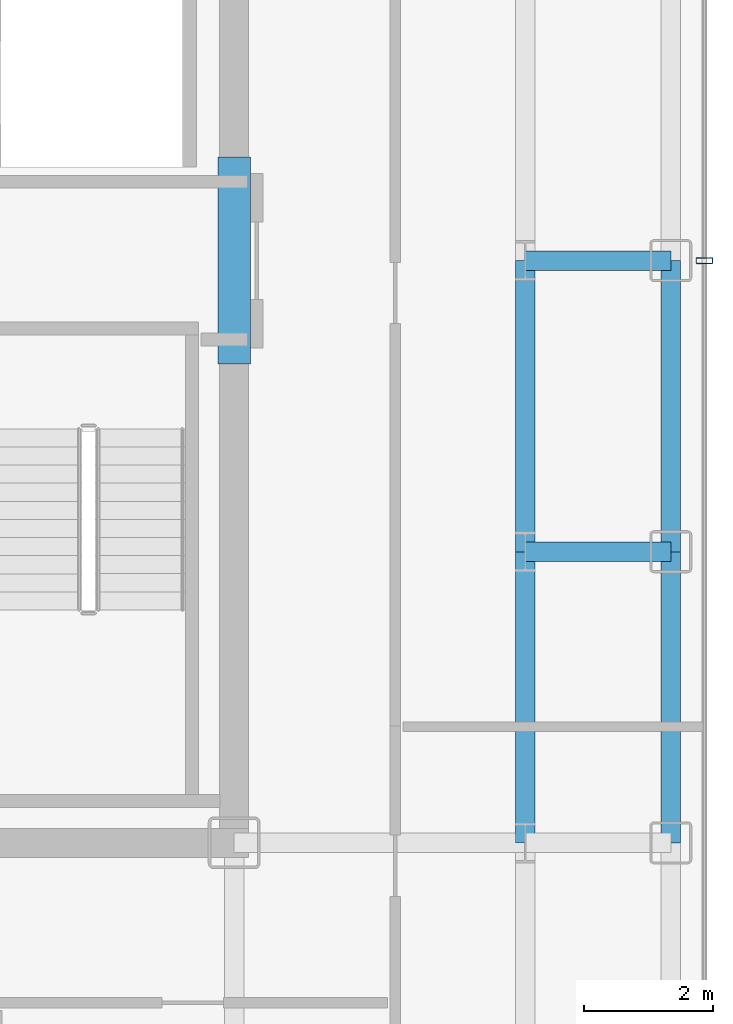
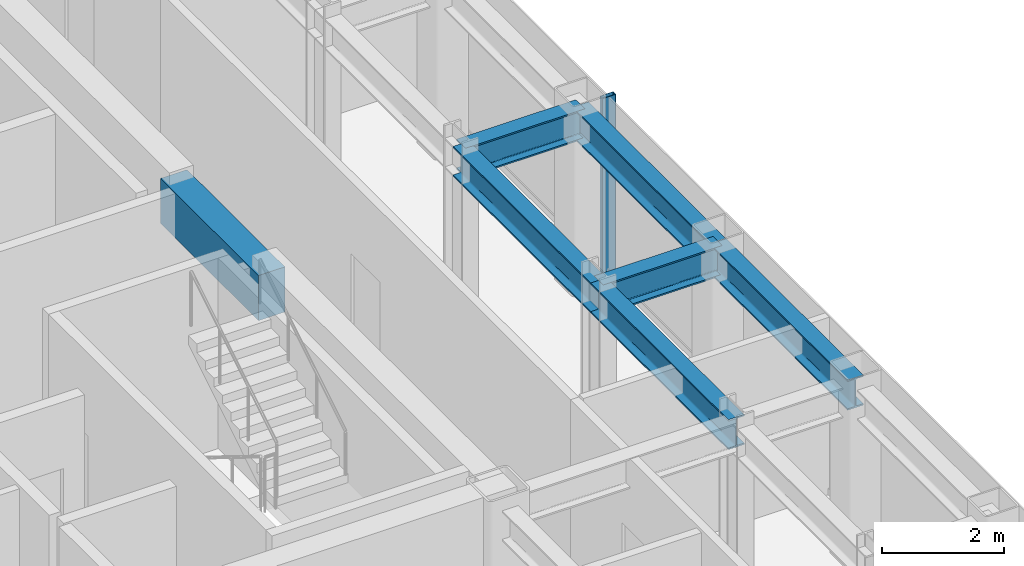
# One storey, part 7 of 18: 7 beams, 1 member, 1 element without a shape of its own.
"""IFC4 building model written with IfcOpenShell, lengths in metres."""

import ifcopenshell
import ifcopenshell.guid

model = None  # the IFC model being written
_history = None  # IfcOwnerHistory: only IFC2X3 demands one
_inside = {}  # id of a spatial element -> (the spatial element, [elements in it])
_under = {}  # id of a project, library or spatial element -> (it, [spatial elements below it])
_declared = {}  # id of a project -> (the project, [libraries it declares])
_typed = {}  # id of a type object -> (the type object, [elements of that type])
_made_of = {}  # id of a material, layer set ... -> (it, [elements and type objects made of it])


def new_model(schema):
    """Start an empty IFC model of exactly this schema.

    Asked for "IFC4X3", IfcOpenShell would pick the latest addendum, in which some entities
    have other attributes; the version numbers below select the first issue.
    IFC2X3 requires an IfcOwnerHistory on every rooted entity: one is made here for all.
    """
    global model, _history
    if schema == "IFC4X3":
        model = ifcopenshell.file(schema_version=(4, 3, 0, 0))
    else:
        model = ifcopenshell.file(schema=schema)
    _inside.clear()
    _under.clear()
    _declared.clear()
    _typed.clear()
    _made_of.clear()
    _history = None
    if model.schema == "IFC2X3":
        org = make("IfcOrganization", Name="unknown")
        user = make(
            "IfcPersonAndOrganization",
            ThePerson=make("IfcPerson", FamilyName="unknown"),
            TheOrganization=org,
        )
        app = make(
            "IfcApplication",
            ApplicationDeveloper=org,
            Version="unknown",
            ApplicationFullName="unknown",
            ApplicationIdentifier="unknown",
        )
        _history = make(
            "IfcOwnerHistory",
            OwningUser=user,
            OwningApplication=app,
            ChangeAction="ADDED",
            CreationDate=0,
        )
    return model


def make(cls, **values):
    """One entity of the class cls with the attributes given. An attribute that is None is left unset."""
    return model.create_entity(
        cls, **{name: value for name, value in values.items() if value is not None}
    )


def rooted(cls, **values):
    """An entity with a GlobalId (a new one), such as an element, a storey or a relation."""
    return make(cls, GlobalId=ifcopenshell.guid.new(), OwnerHistory=_history, **values)


def si_unit(unit_type, name, prefix=None):
    """IfcSIUnit, for example si_unit("LENGTHUNIT", "METRE", prefix="MILLI")."""
    return make("IfcSIUnit", UnitType=unit_type, Prefix=prefix, Name=name)


def assignment(units):
    """IfcUnitAssignment: the units of a project."""
    return None if units is None else make("IfcUnitAssignment", Units=units)


def point(xyz):
    """IfcCartesianPoint."""
    return None if xyz is None else make("IfcCartesianPoint", Coordinates=xyz)


def direction(xyz):
    """IfcDirection."""
    return None if xyz is None else make("IfcDirection", DirectionRatios=xyz)


def frame(location, z_axis=None, x_axis=None):
    """IfcAxis2Placement3D, a coordinate frame: its origin and axes. An axis left out is left unset."""
    return make(
        "IfcAxis2Placement3D",
        Location=point(location),
        Axis=direction(z_axis),
        RefDirection=direction(x_axis),
    )


def frame_2d(location, x_axis=None):
    """IfcAxis2Placement2D, a coordinate frame in the plane: its origin and x axis."""
    return make(
        "IfcAxis2Placement2D", Location=point(location), RefDirection=direction(x_axis)
    )


def origin():
    """The frame at (0, 0, 0) with its axes left unset."""
    return frame((0.0, 0.0, 0.0))


def origin_2d():
    """The frame at (0, 0) in the plane with its x axis left unset."""
    return frame_2d((0.0, 0.0))


def place(relative_to, where):
    """IfcLocalPlacement: puts the frame where relative to a parent placement (None: the world)."""
    return make(
        "IfcLocalPlacement", PlacementRelTo=relative_to, RelativePlacement=where
    )


def context(
    kind, dimensions, precision=None, world=None, true_north=None, identifier=None
):
    """IfcGeometricRepresentationContext, for example the 3D "Model" context."""
    return make(
        "IfcGeometricRepresentationContext",
        ContextIdentifier=identifier,
        ContextType=kind,
        CoordinateSpaceDimension=dimensions,
        Precision=precision,
        WorldCoordinateSystem=world,
        TrueNorth=true_north,
    )


def subcontext(parent, identifier, kind, view, scale=None):
    """IfcGeometricRepresentationSubContext, for example "Body" below "Model"."""
    return make(
        "IfcGeometricRepresentationSubContext",
        ContextIdentifier=identifier,
        ContextType=kind,
        ParentContext=parent,
        TargetScale=scale,
        TargetView=view,
    )


def project(units=None, contexts=None):
    """IfcProject with its units and contexts."""
    return rooted(
        "IfcProject",
        Name="project",
        RepresentationContexts=contexts,
        UnitsInContext=assignment(units),
    )


def spatial(cls, under=None, at=None, **own):
    """A site, building, storey or space (cls), placed at a placement, below another one or the project."""
    s = rooted(cls, ObjectPlacement=at, **own)
    if under is not None:
        _under.setdefault(under.id(), (under, []))[1].append(s)
    return s


def profile(cls, at=None, kind="AREA", **sizes):
    """A parametric profile (cls). Its sizes go by their IFC names, for example OverallWidth=200.0."""
    return make(cls, ProfileType=kind, Position=at, **sizes)


def rectangle(**sizes):
    """IfcRectangleProfileDef."""
    return profile("IfcRectangleProfileDef", **sizes)


def hollow_rectangle(**sizes):
    """IfcRectangleHollowProfileDef."""
    return profile("IfcRectangleHollowProfileDef", **sizes)


def i_section(**sizes):
    """IfcIShapeProfileDef."""
    return profile("IfcIShapeProfileDef", **sizes)


def extrude(swept, where, along, depth):
    """IfcExtrudedAreaSolid: the profile swept, set in the frame where, extruded along a direction by depth."""
    return make(
        "IfcExtrudedAreaSolid",
        SweptArea=swept,
        Position=where,
        ExtrudedDirection=direction(along),
        Depth=depth,
    )


def shape(context_of_items, identifier, shape_type, items):
    """IfcShapeRepresentation: the items that make up one representation, for example the "Body"."""
    return make(
        "IfcShapeRepresentation",
        ContextOfItems=context_of_items,
        RepresentationIdentifier=identifier,
        RepresentationType=shape_type,
        Items=items,
    )


def source(mapping_origin, context_of_items, identifier, shape_type, items):
    """IfcRepresentationMap: a shape defined once, which mapped items show again and again."""
    return make(
        "IfcRepresentationMap",
        MappingOrigin=mapping_origin,
        MappedRepresentation=shape(context_of_items, identifier, shape_type, items),
    )


def transform(
    local_origin,
    x_axis=None,
    y_axis=None,
    z_axis=None,
    scale=None,
    scale2=None,
    scale3=None,
    uniform=True,
):
    """IfcCartesianTransformationOperator3D, or its non-uniform kind. x_axis, y_axis, z_axis: its Axis1, 2, 3."""
    if uniform:
        return make(
            "IfcCartesianTransformationOperator3D",
            Axis1=direction(x_axis),
            Axis2=direction(y_axis),
            LocalOrigin=point(local_origin),
            Scale=scale,
            Axis3=direction(z_axis),
        )
    return make(
        "IfcCartesianTransformationOperator3DnonUniform",
        Axis1=direction(x_axis),
        Axis2=direction(y_axis),
        LocalOrigin=point(local_origin),
        Scale=scale,
        Axis3=direction(z_axis),
        Scale2=scale2,
        Scale3=scale3,
    )


def mapped(mapping_source, mapping_target):
    """IfcMappedItem: shows the shape of a source again, moved by a transform."""
    return make(
        "IfcMappedItem", MappingSource=mapping_source, MappingTarget=mapping_target
    )


def material(Name=None, Category=None):
    """IfcMaterial."""
    return make("IfcMaterial", Name=Name, Category=Category)


def layer(
    of_material, thickness, ventilated=None, Name=None, Category=None, Priority=None
):
    """IfcMaterialLayer: one layer of a wall or slab, of a material (None: an air gap)."""
    return make(
        "IfcMaterialLayer",
        Material=of_material,
        LayerThickness=thickness,
        IsVentilated=ventilated,
        Name=Name,
        Category=Category,
        Priority=Priority,
    )


def layer_set(layers, Name=None):
    """IfcMaterialLayerSet."""
    return make("IfcMaterialLayerSet", MaterialLayers=layers, LayerSetName=Name)


def material_profile(
    of_material, cross_section, Name=None, Category=None, Priority=None
):
    """IfcMaterialProfile: a cross section and its material."""
    return make(
        "IfcMaterialProfile",
        Name=Name,
        Material=of_material,
        Profile=cross_section,
        Priority=Priority,
        Category=Category,
    )


def profile_set(profiles, Name=None, composite=None):
    """IfcMaterialProfileSet."""
    return make(
        "IfcMaterialProfileSet",
        Name=Name,
        MaterialProfiles=profiles,
        CompositeProfile=composite,
    )


def made_of(thing, what):
    """Note that an element or type object is made of a material, layer set ...; save() writes the relation."""
    if what is not None:
        _made_of.setdefault(what.id(), (what, []))[1].append(thing)
    return thing


def type_object(cls, material=None, **own):
    """A type object (cls), such as IfcWallType, which elements share."""
    return made_of(rooted(cls, **own), material)


def element(
    cls,
    number,
    at=None,
    inside=None,
    cuts=None,
    type_object=None,
    material=None,
    context=None,
    identifier="Body",
    shape_type=None,
    held_by="IfcProductDefinitionShape",
    body=None,
    shapes=None,
    **own,
):
    """One element of the class cls, such as IfcWall. Its Tag is "e" and its number.

    at: its placement. inside: the storey or other place that contains it. cuts: it is an
    opening in that element (IfcRelVoidsElement). A single representation is given by context,
    identifier, shape_type and body (its items); several are given by shapes. held_by: the class
    of the entity that holds the representations. save() writes the other relations.
    """
    e = rooted(cls, Tag="e%d" % number, ObjectPlacement=at, **own)
    if body is not None:
        shapes = [shape(context, identifier, shape_type, body)]
    if shapes is not None:
        e.Representation = make(held_by, Representations=shapes)
    if inside is not None:
        _inside.setdefault(inside.id(), (inside, []))[1].append(e)
    if cuts is not None:
        rooted(
            "IfcRelVoidsElement", RelatingBuildingElement=cuts, RelatedOpeningElement=e
        )
    if type_object is not None:
        _typed.setdefault(type_object.id(), (type_object, []))[1].append(e)
    return made_of(e, material)


def aggregate(whole, parts):
    """IfcRelAggregates: a whole, such as a stair, and the parts it consists of."""
    return rooted("IfcRelAggregates", RelatingObject=whole, RelatedObjects=parts)


def save(model, path):
    """Write the relations noted so far, then the file.

    IfcRelAggregates (storeys below a building ...), IfcRelContainedInSpatialStructure (elements
    in a storey), IfcRelDefinesByType, IfcRelAssociatesMaterial and IfcRelDeclares: one each for
    every whole, place, type object, material and project.
    """
    for whole, parts in _under.values():
        aggregate(whole, parts)
    for where, things in _inside.values():
        rooted(
            "IfcRelContainedInSpatialStructure",
            RelatedElements=things,
            RelatingStructure=where,
        )
    for kind, things in _typed.values():
        rooted("IfcRelDefinesByType", RelatedObjects=things, RelatingType=kind)
    for what, things in _made_of.values():
        rooted("IfcRelAssociatesMaterial", RelatedObjects=things, RelatingMaterial=what)
    for by, libraries in _declared.values():
        rooted("IfcRelDeclares", RelatingContext=by, RelatedDefinitions=libraries)
    model.write(path)


model = new_model("IFC4")

# Units and contexts
model_context = context("Model", 3, precision=1e-05, world=origin(), true_north=direction((0.0, 1.0)))
body_context = subcontext(model_context, "Body", "Model", "MODEL_VIEW")
ifc_project = project(units=[si_unit("LENGTHUNIT", "METRE"), si_unit("AREAUNIT", "SQUARE_METRE"), si_unit("VOLUMEUNIT", "CUBIC_METRE"), si_unit("PLANEANGLEUNIT", "RADIAN"), si_unit("MASSUNIT", "GRAM", prefix="KILO")], contexts=[model_context])

# Site, building, storey
site_placement = place(None, origin())
site = spatial("IfcSite", under=ifc_project, at=site_placement, CompositionType="ELEMENT")
building_placement = place(site_placement, origin())
building = spatial("IfcBuilding", under=site, at=building_placement, Name="Nefas-Gora Pilgrimage Tower", CompositionType="ELEMENT")
storey_placement = place(building_placement, frame((0.0, 0.0, 283.60009765625)))
storey = spatial("IfcBuildingStorey", under=building, at=storey_placement, Name="L71", CompositionType="ELEMENT", Elevation=283.60009765625)

# Beams
ifc_material_1 = material(Name="Concrete C50/60", Category="concrete")
ifc_material_profile_1 = material_profile(ifc_material_1, rectangle(XDim=0.5, YDim=0.89990234375, at=origin_2d()), Name="RC 500x900")
ifc_profile_set_1 = profile_set([ifc_material_profile_1], Name="Concrete C50/60")
beam_type_1 = type_object("IfcBeamType", Name="BM-LIN-RC900", PredefinedType="LINTEL", material=ifc_profile_set_1)
shared_shape_1 = source(origin(), body_context, "Body", "SweptSolid", [
    extrude(rectangle(XDim=0.5, YDim=0.89990234375, at=origin_2d()), origin(), (0.0, 0.0, 1.0), 3.2001953125),
])
beam_placement = place(storey_placement, frame((11.25, -1.60009765625, 3.099853515625), z_axis=(0.0, 1.0, 0.0), x_axis=(-1.0, 0.0, 0.0)))
element("IfcBeam", 1, at=beam_placement, inside=storey, type_object=beam_type_1, Name="L71 Core Coupling Lintel Beam E", PredefinedType="LINTEL", context=body_context, shape_type="MappedRepresentation", body=[
    mapped(shared_shape_1, transform((0.0, 0.0, 0.0), x_axis=(1.0, 0.0, 0.0), y_axis=(0.0, 1.0, 0.0), z_axis=(0.0, 0.0, 1.0), scale=1.0)),
])
ifc_material_2 = material(Name="Steel S355", Category="steel")
ifc_material_profile_2 = material_profile(ifc_material_2, i_section(OverallWidth=0.300048828125, OverallDepth=0.60009765625, WebThickness=0.015380859375, FlangeThickness=0.030029296875, FilletRadius=0.027099609375, at=origin_2d()), Name="HEB 600")
ifc_profile_set_2 = profile_set([ifc_material_profile_2], Name="Steel S355")
beam_type_2 = type_object("IfcBeamType", Name="BM-SPN-HEB450", PredefinedType="SPANDREL", material=ifc_profile_set_2)
shared_shape_2 = source(origin(), body_context, "Body", "SweptSolid", [
    extrude(i_section(OverallWidth=0.300048828125, OverallDepth=0.60009765625, WebThickness=0.015380859375, FlangeThickness=0.030029296875, FilletRadius=0.027099609375, at=origin_2d()), origin(), (0.0, 0.0, 1.0), 4.5),
])
for number, where, z_axis, x_axis, name in (
    (2, (18.0, -9.0, 3.25), (0.0, 1.0, 0.0), (-1.0, 0.0, 0.0), "L71 SP-03 beam"),
    (3, (18.0, -4.5, 3.25), (0.0, 1.0, 0.0), (-1.0, 0.0, 0.0), "L71 SP-03 beam"),
):
    element("IfcBeam", number, at=place(storey_placement, frame(where, z_axis=z_axis, x_axis=x_axis)), inside=storey, type_object=beam_type_2, Name=name, PredefinedType="SPANDREL", context=body_context, shape_type="MappedRepresentation", body=[
        mapped(shared_shape_2, transform((0.0, 0.0, 0.0), x_axis=(1.0, 0.0, 0.0), y_axis=(0.0, 1.0, 0.0), z_axis=(0.0, 0.0, 1.0), scale=1.0)),
    ])
ifc_material_profile_3 = material_profile(ifc_material_2, i_section(OverallWidth=0.300048828125, OverallDepth=0.60009765625, WebThickness=0.015380859375, FlangeThickness=0.030029296875, FilletRadius=0.027099609375, at=origin_2d()), Name="HEB 600")
ifc_profile_set_3 = profile_set([ifc_material_profile_3], Name="Steel S355")
beam_type_3 = type_object("IfcBeamType", Name="BM-GIR-HEB600", PredefinedType="BEAM", material=ifc_profile_set_3)
shared_shape_3 = source(origin(), body_context, "Body", "SweptSolid", [
    extrude(i_section(OverallWidth=0.300048828125, OverallDepth=0.60009765625, WebThickness=0.015380859375, FlangeThickness=0.030029296875, FilletRadius=0.027099609375, at=origin_2d()), origin(), (0.0, 0.0, 1.0), 4.5),
])
for number, where, z_axis, x_axis, name in (
    (4, (15.75, -9.0, 3.25), (0.0, 1.0, 0.0), (-1.0, 0.0, 0.0), "L71 G-04 beam"),
    (5, (15.75, -4.5, 3.25), (0.0, 1.0, 0.0), (-1.0, 0.0, 0.0), "L71 G-04 beam"),
):
    element("IfcBeam", number, at=place(storey_placement, frame(where, z_axis=z_axis, x_axis=x_axis)), inside=storey, type_object=beam_type_3, Name=name, PredefinedType="BEAM", context=body_context, shape_type="MappedRepresentation", body=[
        mapped(shared_shape_3, transform((0.0, 0.0, 0.0), x_axis=(1.0, 0.0, 0.0), y_axis=(0.0, 1.0, 0.0), z_axis=(0.0, 0.0, 1.0), scale=1.0)),
    ])
shared_shape_4 = source(origin(), body_context, "Body", "SweptSolid", [
    extrude(i_section(OverallWidth=0.300048828125, OverallDepth=0.60009765625, WebThickness=0.015380859375, FlangeThickness=0.030029296875, FilletRadius=0.027099609375, at=origin_2d()), origin(), (0.0, 0.0, 1.0), 2.25),
])
for number, where, z_axis, x_axis, name in (
    (6, (15.75, -4.5, 3.25), (1.0, 0.0, 0.0), (0.0, 1.0, 0.0), "L71 G-04 beam"),
    (7, (15.75, 0.0, 3.25), (1.0, 0.0, 0.0), (0.0, 1.0, 0.0), "L71 G-04 beam"),
):
    element("IfcBeam", number, at=place(storey_placement, frame(where, z_axis=z_axis, x_axis=x_axis)), inside=storey, type_object=beam_type_3, Name=name, PredefinedType="BEAM", context=body_context, shape_type="MappedRepresentation", body=[
        mapped(shared_shape_4, transform((0.0, 0.0, 0.0), x_axis=(1.0, 0.0, 0.0), y_axis=(0.0, 1.0, 0.0), z_axis=(0.0, 0.0, 1.0), scale=1.0)),
    ])

# Curtain wall, member
ifc_material_3 = material(Name="Dark ceramic-fritted solar-control aluminium-glass curtain wall", Category="aluminium")
ifc_layer = layer(ifc_material_3, 0.219970703125)
ifc_layer_set = layer_set([ifc_layer], Name="Dark ceramic-fritted solar-control aluminium-glass curtain wall")
curtain_wall_type = type_object("IfcCurtainWallType", Name="CW-SYS-4", PredefinedType="NOTDEFINED", material=ifc_layer_set)
curtain_wall_placement = place(storey_placement, origin())
curtain_wall = element("IfcCurtainWall", 8, at=curtain_wall_placement, inside=storey, type_object=curtain_wall_type, Name="L71 Unitised Curtain Wall CW4", PredefinedType="NOTDEFINED")
ifc_material_4 = material(Name="Anodised architectural aluminium", Category="aluminium")
ifc_material_profile_4 = material_profile(ifc_material_4, hollow_rectangle(XDim=0.090087890625, YDim=0.260009765625, WallThickness=0.006103515625, InnerFilletRadius=0.006103515625, OuterFilletRadius=0.011962890625, at=origin_2d()), Name="ALU MULLION 90x260")
ifc_profile_set_4 = profile_set([ifc_material_profile_4], Name="Anodised architectural aluminium")
member_type = type_object("IfcMemberType", Name="CWM-MUL-4", PredefinedType="MULLION", material=ifc_profile_set_4)
shared_shape_5 = source(origin(), body_context, "Body", "SweptSolid", [
    extrude(hollow_rectangle(XDim=0.090087890625, YDim=0.260009765625, WallThickness=0.006103515625, InnerFilletRadius=0.006103515625, OuterFilletRadius=0.011962890625, at=origin_2d()), origin(), (0.0, 0.0, 1.0), 3.5498046875),
])
member_placement = place(storey_placement, frame((18.52001953125, 0.0, 0.0), z_axis=(0.0, 0.0, 1.0), x_axis=(0.0, 1.0, 0.0)))
member = element("IfcMember", 9, at=member_placement, type_object=member_type, Name="CW4 Mullion 2", PredefinedType="MULLION", context=body_context, shape_type="MappedRepresentation", body=[
    mapped(shared_shape_5, transform((0.0, 0.0, 0.0), x_axis=(1.0, 0.0, 0.0), y_axis=(0.0, 1.0, 0.0), z_axis=(0.0, 0.0, 1.0), scale=1.0)),
])
aggregate(curtain_wall, [member])

save(model, "model.ifc")
